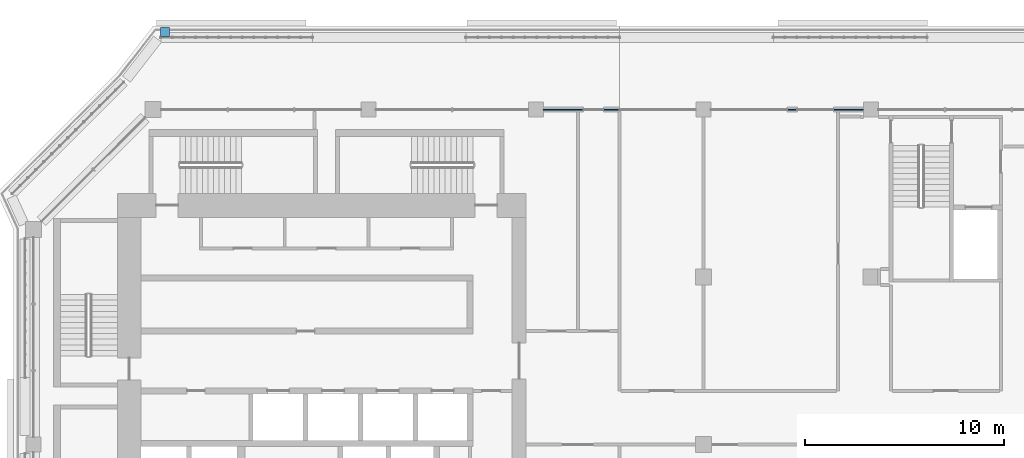
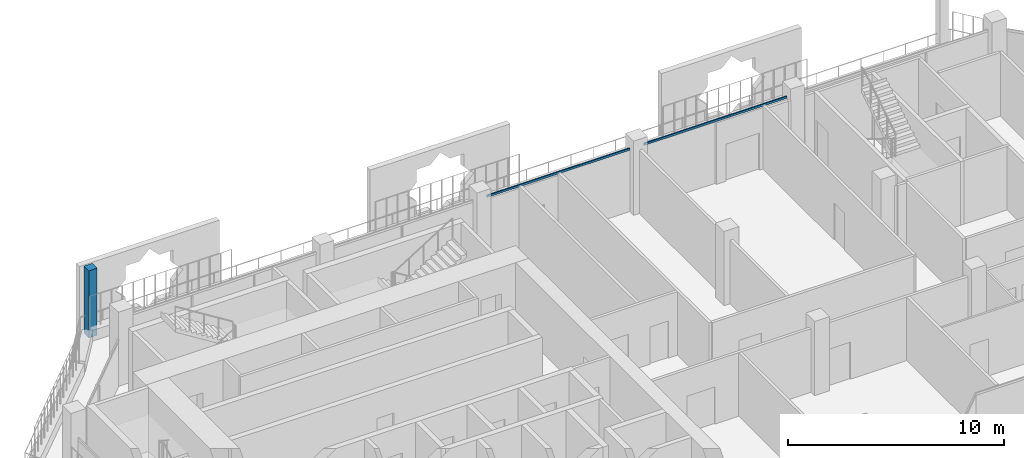
# One storey, part 7 of 21: 3 members, 2 elements without a shape of their own.
"""IFC4 building model written with IfcOpenShell, lengths in metres."""

from ifc_helpers import new_model, si_unit, direction, frame, origin, origin_2d, place, context, subcontext, project, spatial, rectangle, extrude, material, layer, layer_set, material_profile, profile_set, type_object, element, aggregate, save


model = new_model("IFC4")

# Units and contexts
model_context = context("Model", 3, precision=1e-05, world=origin(), true_north=direction((0.0, 1.0)))
body_context = subcontext(model_context, "Body", "Model", "MODEL_VIEW")
ifc_project = project(units=[si_unit("LENGTHUNIT", "METRE"), si_unit("AREAUNIT", "SQUARE_METRE"), si_unit("VOLUMEUNIT", "CUBIC_METRE"), si_unit("PLANEANGLEUNIT", "RADIAN"), si_unit("MASSUNIT", "GRAM", prefix="KILO")], contexts=[model_context])

# Site, building, storey
site_placement = place(None, origin())
site = spatial("IfcSite", under=ifc_project, at=site_placement, CompositionType="ELEMENT")
building_placement = place(site_placement, origin())
building = spatial("IfcBuilding", under=site, at=building_placement, Name="Kawkab Arch Medical Tower", CompositionType="ELEMENT")
storey_placement = place(building_placement, frame((0.0, 0.0, 315.39990234375)))
storey = spatial("IfcBuildingStorey", under=building, at=storey_placement, Name="L73", CompositionType="ELEMENT", Elevation=315.39990234375)

# Curtain wall, members
ifc_material_1 = material(Name="Bronze anodised aluminium curtain wall frame", Category="aluminium")
ifc_layer_1 = layer(ifc_material_1, 0.159912109375)
ifc_layer_set_1 = layer_set([ifc_layer_1], Name="Bronze anodised aluminium curtain wall frame")
curtain_wall_type_1 = type_object("IfcCurtainWallType", Name="CW1 ward curtain wall", PredefinedType="NOTDEFINED", material=ifc_layer_set_1)
placement = place(storey_placement, origin())
curtain_wall_1 = element("IfcCurtainWall", 1, at=placement, inside=storey, type_object=curtain_wall_type_1, Name="CW1 Ward curtain wall R15", PredefinedType="NOTDEFINED")
ifc_material_2 = material(Name="Bronze anodised aluminium curtain wall frame", Category="aluminium")
ifc_material_profile_1 = material_profile(ifc_material_2, rectangle(XDim=0.06005859375, YDim=0.1201171875, at=origin_2d()), Name="AL 60x120")
ifc_profile_set_1 = profile_set([ifc_material_profile_1], Name="Bronze anodised aluminium curtain wall frame")
member_type_1 = type_object("IfcMemberType", Name="CW1 transom 120 x 60", PredefinedType="USERDEFINED", material=ifc_profile_set_1)
member_1_placement = place(storey_placement, frame((41.625, 0.0, 3.5400390625), z_axis=(-1.0, 0.0, 0.0), x_axis=(0.0, -1.0, 0.0)))
member_1 = element("IfcMember", 2, at=member_1_placement, type_object=member_type_1, Name="CW1 transom 2", ObjectType="TRANSOM", PredefinedType="USERDEFINED", context=body_context, shape_type="SweptSolid", body=[
    extrude(rectangle(XDim=0.06005859375, YDim=0.1201171875, at=origin_2d()), origin(), (0.0, 0.0, 1.0), 7.64990234375),
])
member_2_placement = place(storey_placement, frame((33.22509765625, 0.0, 3.5400390625), z_axis=(-1.0, 0.0, 0.0), x_axis=(0.0, -1.0, 0.0)))
member_2 = element("IfcMember", 3, at=member_2_placement, type_object=member_type_1, Name="CW1 transom 3", ObjectType="TRANSOM", PredefinedType="USERDEFINED", context=body_context, shape_type="SweptSolid", body=[
    extrude(rectangle(XDim=0.06005859375, YDim=0.1201171875, at=origin_2d()), origin(), (0.0, 0.0, 1.0), 7.650146484375),
])
aggregate(curtain_wall_1, [member_1, member_2])

# Curtain wall, member
ifc_material_3 = material(Name="Bronze anodised aluminium climber frame, planted", Category="aluminium")
ifc_layer_2 = layer(ifc_material_3, 0.449951171875)
ifc_layer_set_2 = layer_set([ifc_layer_2], Name="Bronze anodised aluminium climber frame, planted")
curtain_wall_type_2 = type_object("IfcCurtainWallType", Name="Planted climber frame", PredefinedType="NOTDEFINED", material=ifc_layer_set_2)
curtain_wall_2 = element("IfcCurtainWall", 4, at=placement, inside=storey, type_object=curtain_wall_type_2, Name="Planted climber frame L73", PredefinedType="NOTDEFINED")
ifc_material_4 = material(Name="Bronze anodised aluminium climber frame, planted", Category="aluminium")
ifc_material_profile_2 = material_profile(ifc_material_4, rectangle(XDim=0.449951171875, YDim=0.449951171875, at=origin_2d()), Name="Post 450x450")
ifc_profile_set_2 = profile_set([ifc_material_profile_2], Name="Bronze anodised aluminium climber frame, planted")
member_type_2 = type_object("IfcMemberType", Name="Planted climber post 450 x 450", PredefinedType="MULLION", material=ifc_profile_set_2)
member_3_placement = place(storey_placement, frame((6.596923828125, 3.89990234375, 0.0), z_axis=(0.0, 0.0, 1.0), x_axis=(1.0, 0.0, 0.0)))
member_3 = element("IfcMember", 5, at=member_3_placement, type_object=member_type_2, Name="Planted climber post L73.LOG-01-01.3", PredefinedType="MULLION", context=body_context, shape_type="SweptSolid", body=[
    extrude(rectangle(XDim=0.449951171875, YDim=0.449951171875, at=origin_2d()), origin(), (0.0, 0.0, 1.0), 3.800048828125),
])
aggregate(curtain_wall_2, [member_3])

save(model, "model.ifc")
